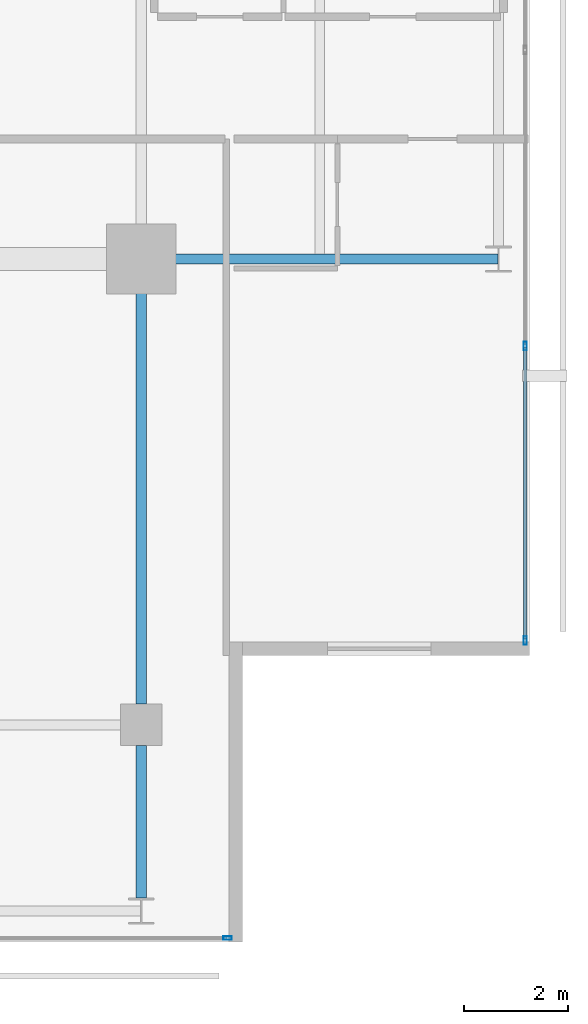
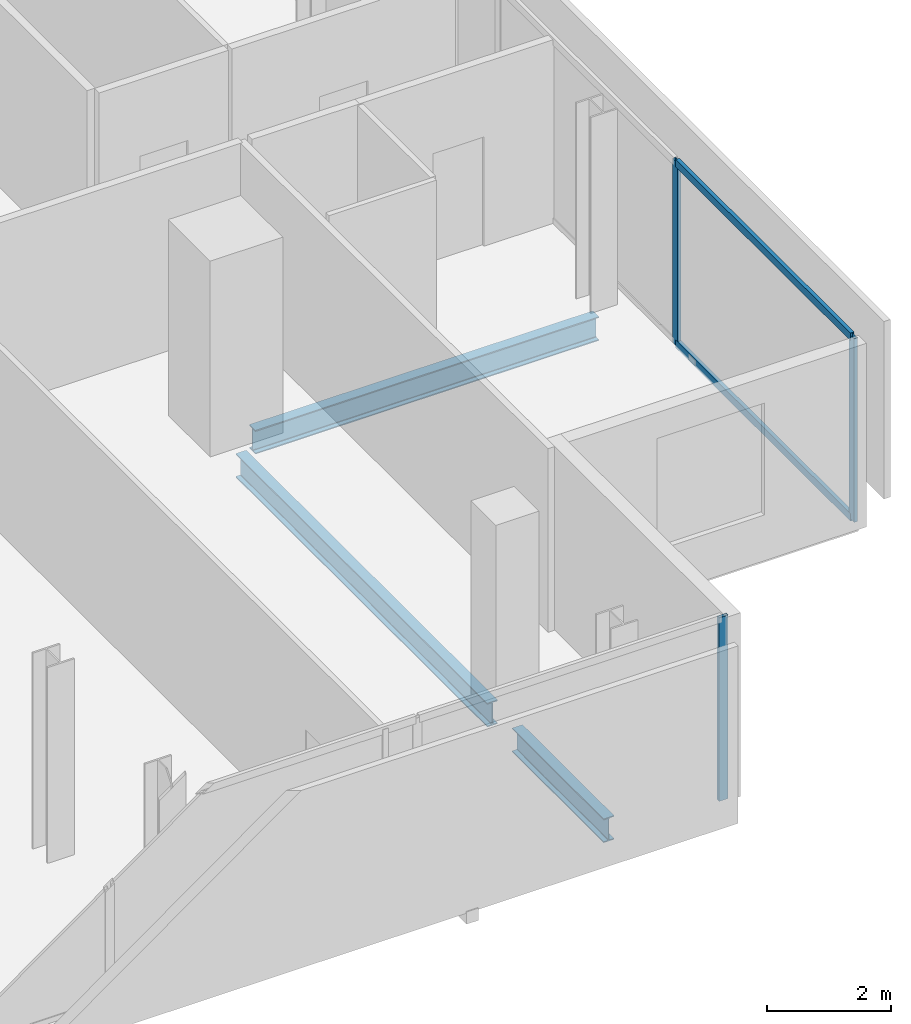
# One storey, part 11 of 23: 5 members, 3 beams, 2 elements without a shape of their own.
"""IFC4 building model written with IfcOpenShell, lengths in metres."""

from ifc_helpers import new_model, si_unit, direction, frame, origin, origin_2d, place, context, subcontext, project, spatial, hollow_rectangle, i_section, extrude, material, layer, layer_set, material_profile, profile_set, type_object, element, aggregate, save


model = new_model("IFC4")

# Units and contexts
model_context = context("Model", 3, precision=1e-05, world=origin(), true_north=direction((0.0, 1.0)))
body_context = subcontext(model_context, "Body", "Model", "MODEL_VIEW")
ifc_project = project(units=[si_unit("LENGTHUNIT", "METRE"), si_unit("AREAUNIT", "SQUARE_METRE"), si_unit("VOLUMEUNIT", "CUBIC_METRE"), si_unit("PLANEANGLEUNIT", "RADIAN"), si_unit("MASSUNIT", "GRAM", prefix="KILO")], contexts=[model_context])

# Site, building, storey
site_placement = place(None, origin())
site = spatial("IfcSite", under=ifc_project, at=site_placement, CompositionType="ELEMENT")
building_placement = place(site_placement, origin())
building = spatial("IfcBuilding", under=site, at=building_placement, Name="Maruvema Waterfront Hotel and Observation Tower", CompositionType="ELEMENT")
storey_placement = place(building_placement, frame((0.0, 0.0, 341.25)))
storey = spatial("IfcBuildingStorey", under=building, at=storey_placement, Name="L84", CompositionType="ELEMENT", Elevation=341.25)

# Curtain wall, members
ifc_material_1 = material(Name="Anodised bronze aluminium and solar-control low-E IGU", Category="aluminium")
ifc_layer = layer(ifc_material_1, 0.159912109375, Name="Zone 4 Sky Residence Inner Curtain Wall System CW-05")
ifc_layer_set = layer_set([ifc_layer], Name="Anodised bronze aluminium and solar-control low-E IGU")
curtain_wall_type = type_object("IfcCurtainWallType", Name="Zone 4 Sky Residence Inner Curtain Wall System CW-05", PredefinedType="USERDEFINED", material=ifc_layer_set)
curtain_wall_1_placement = place(storey_placement, origin())
curtain_wall_1 = element("IfcCurtainWall", 1, at=curtain_wall_1_placement, inside=storey, type_object=curtain_wall_type, Name="L84 Curtain Wall CW-L84-E", ObjectType="UNITISED CURTAIN WALL", PredefinedType="USERDEFINED")
ifc_material_2 = material(Name="Anodised architectural bronze aluminium", Category="aluminium")
ifc_material_profile_1 = material_profile(ifc_material_2, hollow_rectangle(XDim=0.070068359375, YDim=0.14990234375, WallThickness=0.00390625, at=origin_2d()), Name="ALU-T70x150")
ifc_profile_set_1 = profile_set([ifc_material_profile_1], Name="Anodised architectural bronze aluminium")
member_type_1 = type_object("IfcMemberType", Name="Curtain Wall Horizontal Transom ALU-T70x150", PredefinedType="USERDEFINED", material=ifc_profile_set_1)
member_1_placement = place(storey_placement, frame((57.820068359375, 19.659912109375, 0.030029296875), z_axis=(0.0, 1.0, 0.0), x_axis=(-1.0, 0.0, 0.0)))
member_1 = element("IfcMember", 2, at=member_1_placement, type_object=member_type_1, Name="CW-05 transom 1.1", ObjectType="TRANSOM", PredefinedType="USERDEFINED", context=body_context, shape_type="SweptSolid", body=[
    extrude(hollow_rectangle(XDim=0.070068359375, YDim=0.14990234375, WallThickness=0.00390625, at=origin_2d()), origin(), (0.0, 0.0, 1.0), 5.630126953125),
])
member_2_placement = place(storey_placement, frame((57.820068359375, 19.659912109375, 3.580078125), z_axis=(0.0, 1.0, 0.0), x_axis=(-1.0, 0.0, 0.0)))
member_2 = element("IfcMember", 3, at=member_2_placement, type_object=member_type_1, Name="CW-05 transom 1.2", ObjectType="TRANSOM", PredefinedType="USERDEFINED", context=body_context, shape_type="SweptSolid", body=[
    extrude(hollow_rectangle(XDim=0.070068359375, YDim=0.14990234375, WallThickness=0.00390625, at=origin_2d()), origin(), (0.0, 0.0, 1.0), 5.630126953125),
])

# Curtain wall, member
curtain_wall_2_placement = place(storey_placement, origin())
curtain_wall_2 = element("IfcCurtainWall", 4, at=curtain_wall_2_placement, inside=storey, type_object=curtain_wall_type, Name="L84 Curtain Wall CW-L84-S", ObjectType="UNITISED CURTAIN WALL", PredefinedType="USERDEFINED")
ifc_material_3 = material(Name="Anodised architectural bronze aluminium", Category="aluminium")
ifc_material_profile_2 = material_profile(ifc_material_3, hollow_rectangle(XDim=0.06494140625, YDim=0.1650390625, WallThickness=0.00390625, at=origin_2d()), Name="ALU-M65x165")
ifc_profile_set_2 = profile_set([ifc_material_profile_2], Name="Anodised architectural bronze aluminium")
member_type_2 = type_object("IfcMemberType", Name="Curtain Wall Primary Mullion ALU-M65x165", PredefinedType="MULLION", material=ifc_profile_set_2)
member_3_placement = place(storey_placement, frame((52.070068359375, 13.8798828125, 0.0), z_axis=(0.0, 0.0, 1.0), x_axis=(0.0, 1.0, 0.0)))
member_3 = element("IfcMember", 5, at=member_3_placement, type_object=member_type_2, Name="CW-05 mullion 6", PredefinedType="MULLION", context=body_context, shape_type="SweptSolid", body=[
    extrude(hollow_rectangle(XDim=0.06494140625, YDim=0.1650390625, WallThickness=0.00390625, at=origin_2d()), origin(), (0.0, 0.0, 1.0), 3.610107421875),
])
aggregate(curtain_wall_2, [member_3])

# Member
member_4_placement = place(storey_placement, frame((57.820068359375, 19.6298828125, 0.0), z_axis=(0.0, 0.0, 1.0), x_axis=(-1.0, 0.0, 0.0)))
member_4 = element("IfcMember", 6, at=member_4_placement, type_object=member_type_2, Name="CW-05 mullion 1", PredefinedType="MULLION", context=body_context, shape_type="SweptSolid", body=[
    extrude(hollow_rectangle(XDim=0.06494140625, YDim=0.1650390625, WallThickness=0.00390625, at=origin_2d()), origin(), (0.0, 0.0, 1.0), 3.610107421875),
])

member_5_placement = place(storey_placement, frame((57.820068359375, 25.320068359375, 0.0), z_axis=(0.0, 0.0, 1.0), x_axis=(-1.0, 0.0, 0.0)))
member_5 = element("IfcMember", 7, at=member_5_placement, type_object=member_type_2, Name="CW-05 mullion 2", PredefinedType="MULLION", context=body_context, shape_type="SweptSolid", body=[
    extrude(hollow_rectangle(XDim=0.06494140625, YDim=0.1650390625, WallThickness=0.00390625, at=origin_2d()), origin(), (0.0, 0.0, 1.0), 3.610107421875),
])

aggregate(curtain_wall_1, [member_4, member_5, member_1, member_2])

# Beams
ifc_material_4 = material(Name="Steel ASTM A572 Grade 50", Category="steel")
ifc_material_profile_3 = material_profile(ifc_material_4, i_section(OverallWidth=0.194091796875, OverallDepth=0.468994140625, WebThickness=0.0126953125, FlangeThickness=0.0205078125, FilletRadius=0.014892578125, at=origin_2d()), Name="W460x106.0")
ifc_profile_set_3 = profile_set([ifc_material_profile_3], Name="Steel ASTM A572 Grade 50")
beam_type = type_object("IfcBeamType", Name="Primary Floor Girder W460x106.0", PredefinedType="BEAM", material=ifc_profile_set_3)
beam_1_placement = place(storey_placement, frame((50.89990234375, 27.0, -0.474609375), z_axis=(1.0, 0.0, 0.0), x_axis=(0.0, 1.0, 0.0)))
element("IfcBeam", 8, at=beam_1_placement, inside=storey, type_object=beam_type, Name="L84 Floor Girder EW-09", PredefinedType="BEAM", context=body_context, shape_type="SweptSolid", body=[
    extrude(i_section(OverallWidth=0.194091796875, OverallDepth=0.468994140625, WebThickness=0.0126953125, FlangeThickness=0.0205078125, FilletRadius=0.014892578125, at=origin_2d()), origin(), (0.0, 0.0, 1.0), 6.38916015625),
])
beam_2_placement = place(storey_placement, frame((50.39990234375, 14.64990234375, -0.474609375), z_axis=(0.0, 1.0, 0.0), x_axis=(-1.0, 0.0, 0.0)))
element("IfcBeam", 9, at=beam_2_placement, inside=storey, type_object=beam_type, Name="L84 Floor Girder NS-11", PredefinedType="BEAM", context=body_context, shape_type="SweptSolid", body=[
    extrude(i_section(OverallWidth=0.194091796875, OverallDepth=0.468994140625, WebThickness=0.0126953125, FlangeThickness=0.0205078125, FilletRadius=0.014892578125, at=origin_2d()), origin(), (0.0, 0.0, 1.0), 2.9501953125),
])
beam_3_placement = place(storey_placement, frame((50.39990234375, 18.39990234375, -0.474609375), z_axis=(0.0, 1.0, 0.0), x_axis=(-1.0, 0.0, 0.0)))
element("IfcBeam", 10, at=beam_3_placement, inside=storey, type_object=beam_type, Name="L84 Floor Girder NS-12", PredefinedType="BEAM", context=body_context, shape_type="SweptSolid", body=[
    extrude(i_section(OverallWidth=0.194091796875, OverallDepth=0.468994140625, WebThickness=0.0126953125, FlangeThickness=0.0205078125, FilletRadius=0.014892578125, at=origin_2d()), origin(), (0.0, 0.0, 1.0), 8.10009765625),
])

save(model, "model.ifc")
